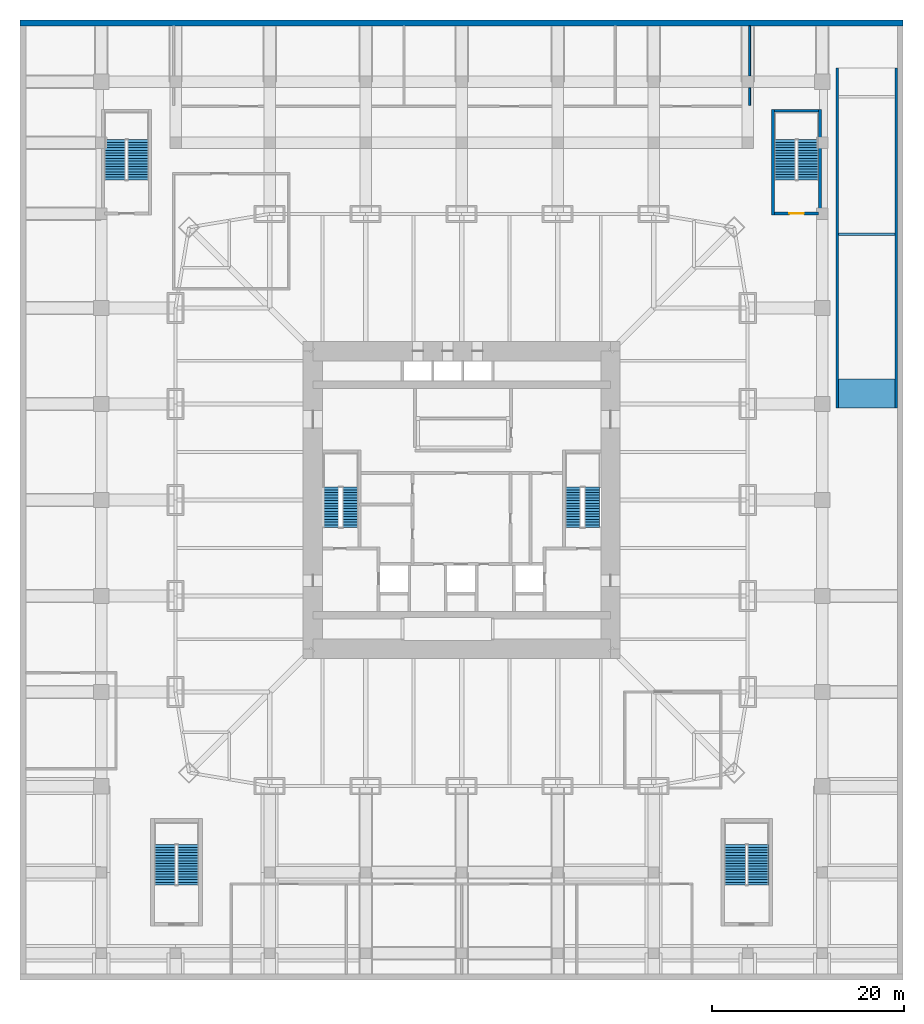
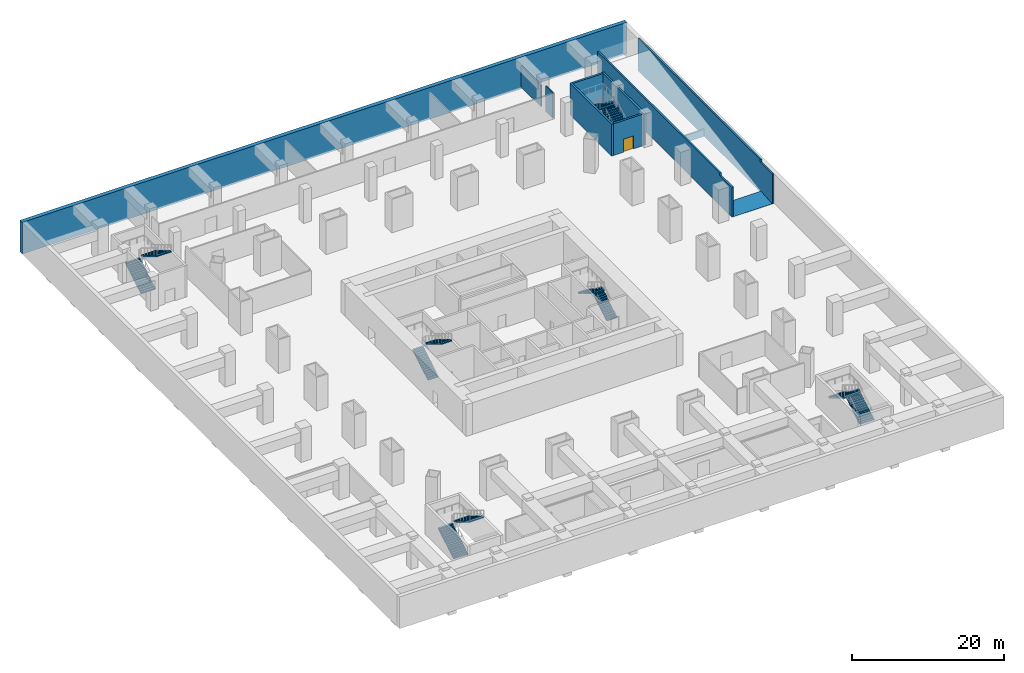
# One storey, part 10 of 12: 12 stair flights, 10 walls, 1 door, 1 ramp flight, 1 opening, 7 elements without a shape of their own.
"""IFC4 building model written with IfcOpenShell, lengths in metres."""

from ifc_helpers import new_model, si_unit, direction, frame, frame_2d, origin, place, context, subcontext, project, spatial, polyline, rectangle, outline, extrude, material, layer, layer_set, type_object, element, fill, aggregate, save


model = new_model("IFC4")

# Units and contexts
model_context = context("Model", 3, precision=1e-05, world=origin(), true_north=direction((0.0, 1.0)))
body_context = subcontext(model_context, "Body", "Model", "MODEL_VIEW")
ifc_project = project(units=[si_unit("LENGTHUNIT", "METRE"), si_unit("AREAUNIT", "SQUARE_METRE"), si_unit("VOLUMEUNIT", "CUBIC_METRE"), si_unit("PLANEANGLEUNIT", "RADIAN"), si_unit("MASSUNIT", "GRAM", prefix="KILO")], contexts=[model_context])

# Site, building, storey
site_placement = place(None, origin())
site = spatial("IfcSite", under=ifc_project, at=site_placement, CompositionType="ELEMENT")
building_placement = place(site_placement, origin())
building = spatial("IfcBuilding", under=site, at=building_placement, Name="Khuree Lantern Residences", CompositionType="ELEMENT")
storey_placement = place(building_placement, frame((0.0, 0.0, -5.39990234375)))
storey = spatial("IfcBuildingStorey", under=building, at=storey_placement, Name="B1", CompositionType="ELEMENT", Elevation=-5.39990234375)

# Walls
ifc_material_1 = material(Name="Dense concrete blockwork", Category="masonry")
ifc_layer_1 = layer(ifc_material_1, 0.199951171875)
ifc_layer_set_1 = layer_set([ifc_layer_1], Name="FIRE-RATED ROOM WALL FRW200 EI 120")
wall_type_1 = type_object("IfcWallType", Name="FIRE-RATED ROOM WALL FRW200 EI 120", PredefinedType="SOLIDWALL", material=ifc_layer_set_1)
wall_1_placement = place(storey_placement, frame((30.0, 41.10009765625, 0.0), z_axis=(0.0, 0.0, 1.0), x_axis=(0.0, 1.0, 0.0)))
element("IfcWall", 1, at=wall_1_placement, inside=storey, type_object=wall_type_1, Name="B1 ROOM WALL 24", PredefinedType="SOLIDWALL", context=body_context, shape_type="SweptSolid", body=[
    extrude(rectangle(XDim=1.81982421875, YDim=0.199951171875, at=frame_2d((0.909912109375, 0.0))), origin(), (0.0, 0.0, 1.0), 4.099853515625),
])
wall_2_placement = place(storey_placement, frame((30.0, 44.18017578125, 0.0), z_axis=(0.0, 0.0, 1.0), x_axis=(0.0, 1.0, 0.0)))
element("IfcWall", 2, at=wall_2_placement, inside=storey, type_object=wall_type_1, Name="B1 ROOM WALL 26", PredefinedType="SOLIDWALL", context=body_context, shape_type="SweptSolid", body=[
    extrude(rectangle(XDim=5.19970703125, YDim=0.199951171875, at=frame_2d((2.599853515625, 0.0))), origin(), (0.0, 0.0, 1.0), 3.39990234375),
])
ifc_material_2 = material(Name="Concrete C40/50", Category="concrete")
ifc_layer_2 = layer(ifc_material_2, 0.25)
ifc_layer_set_2 = layer_set([ifc_layer_2], Name="RAMP WALL RA 250")
wall_type_2 = type_object("IfcWallType", Name="RAMP WALL RA 250", PredefinedType="SOLIDWALL", material=ifc_layer_set_2)
for number, where, z_axis, x_axis, name in (
    (3, (39.125, 9.60009765625, 0.0), (0.0, 0.0, 1.0), (0.0, 1.0, 0.0), "Car park ramp, street to B1 side wall"),
    (4, (45.27490234375, 9.60009765625, 0.0), (0.0, 0.0, 1.0), (0.0, 1.0, 0.0), "Car park ramp, street to B1 side wall"),
):
    element("IfcWall", number, at=place(storey_placement, frame(where, z_axis=z_axis, x_axis=x_axis)), inside=storey, type_object=wall_type_2, Name=name, PredefinedType="SOLIDWALL", context=body_context, shape_type="SweptSolid", body=[
        extrude(outline(polyline([(0.0, 0.0), (35.39990234375, 0.0), (35.39990234375, 5.199951171875), (3.199951171875, 5.199951171875), (3.199951171875, 4.7998046875), (0.0, 4.7998046875), (0.0, 0.0)])), frame((0.0, 0.125, 0.0), z_axis=(0.0, -1.0, 0.0), x_axis=(1.0, 0.0, 0.0)), (0.0, 0.0, 1.0), 0.25),
    ])
wall_3_placement = place(storey_placement, frame((39.25, 27.675048828125, 0.0), z_axis=(0.0, 0.0, 1.0), x_axis=(1.0, 0.0, 0.0)))
element("IfcWall", 5, at=wall_3_placement, inside=storey, type_object=wall_type_2, Name="Ramp upstand S", PredefinedType="SOLIDWALL", context=body_context, shape_type="SweptSolid", body=[
    extrude(rectangle(XDim=5.89990234375, YDim=0.25, at=frame_2d((2.949951171875, 0.0))), origin(), (0.0, 0.0, 1.0), 1.099853515625),
])
ifc_layer_3 = layer(ifc_material_2, 0.60009765625)
ifc_layer_set_3 = layer_set([ifc_layer_3], Name="RW1 BASEMENT RETAINING WALL 600")
wall_type_3 = type_object("IfcWallType", Name="RW1 BASEMENT RETAINING WALL 600", PredefinedType="SOLIDWALL", material=ifc_layer_set_3)
wall_4_placement = place(storey_placement, frame((-46.0, 49.699951171875, -0.300048828125), z_axis=(0.0, 0.0, 1.0), x_axis=(1.0, 0.0, 0.0)))
element("IfcWall", 6, at=wall_4_placement, inside=storey, type_object=wall_type_3, Name="Retaining wall N", PredefinedType="SOLIDWALL", context=body_context, shape_type="SweptSolid", body=[
    extrude(rectangle(XDim=92.0, YDim=0.60009765625, at=frame_2d((46.0, 0.0))), origin(), (0.0, 0.0, 1.0), 5.099853515625),
])
ifc_material_3 = material(Name="Concrete C50/60", Category="concrete")
ifc_layer_4 = layer(ifc_material_3, 0.300048828125)
ifc_layer_set_4 = layer_set([ifc_layer_4], Name="STAIR WALL SRW300 C50/60 REI 240")
wall_type_4 = type_object("IfcWallType", Name="STAIR WALL SRW300 C50/60 REI 240", PredefinedType="SOLIDWALL", material=ifc_layer_set_4)
wall_5_placement = place(storey_placement, frame((37.35009765625, 29.699951171875, 0.0), z_axis=(0.0, 0.0, 1.0), x_axis=(0.0, 1.0, 0.0)))
element("IfcWall", 7, at=wall_5_placement, inside=storey, type_object=wall_type_4, Name="B1 STAIR ST4 WALL O", PredefinedType="SOLIDWALL", context=body_context, shape_type="SweptSolid", body=[
    extrude(rectangle(XDim=11.0, YDim=0.300048828125, at=frame_2d((5.5, 0.0))), origin(), (0.0, 0.0, 1.0), 5.099853515625),
])

# Wall, opening, door
wall_6_placement = place(storey_placement, frame((37.199951171875, 29.85009765625, 0.0), z_axis=(0.0, 0.0, 1.0), x_axis=(-1.0, 0.0, 0.0)))
wall_6 = element("IfcWall", 8, at=wall_6_placement, inside=storey, type_object=wall_type_4, Name="B1 STAIR ST4 WALL S", PredefinedType="SOLIDWALL", context=body_context, shape_type="SweptSolid", body=[
    extrude(rectangle(XDim=4.599853515625, YDim=0.300048828125, at=frame_2d((2.2998046875, 0.0))), origin(), (0.0, 0.0, 1.0), 5.099853515625),
])
opening_placement = place(wall_6_placement, frame((1.550048828125, 0.0, 0.0)))
opening = element("IfcOpeningElement", 9, at=opening_placement, cuts=wall_6, Name="Opening B1-024", PredefinedType="OPENING", context=body_context, shape_type="SweptSolid", body=[
    extrude(rectangle(XDim=1.5, YDim=2.10009765625, at=frame_2d((0.75, 1.050048828125))), frame((0.0, 0.16015625, 0.0), z_axis=(0.0, -1.0, 0.0), x_axis=(1.0, 0.0, 0.0)), (0.0, 0.0, 1.0), 0.320068359375),
])
ifc_material_4 = material(Name="Steel door leaf in steel frame", Category="steel")
door_type = type_object("IfcDoorType", Name="STAIR DOOR 1500X2100 EI 120", OperationType="DOUBLE_DOOR_SINGLE_SWING", PredefinedType="DOOR", material=ifc_material_4)
door_placement = place(opening_placement, origin())
door = element("IfcDoor", 10, at=door_placement, inside=storey, type_object=door_type, Name="Stair ST4 door B1-024", OperationType="DOUBLE_DOOR_SINGLE_SWING", OverallHeight=2.10009765625, OverallWidth=1.5, PredefinedType="DOOR", context=body_context, shape_type="SweptSolid", body=[
    extrude(rectangle(XDim=1.5, YDim=2.10009765625, at=frame_2d((0.75, 1.050048828125))), frame((0.0, 0.02490234375, 0.0), z_axis=(0.0, -1.0, 0.0), x_axis=(1.0, 0.0, 0.0)), (0.0, 0.0, 1.0), 0.050048828125),
])
fill(opening, door)

# Walls
wall_7_placement = place(storey_placement, frame((32.449951171875, 29.699951171875, 0.0), z_axis=(0.0, 0.0, 1.0), x_axis=(0.0, 1.0, 0.0)))
element("IfcWall", 11, at=wall_7_placement, inside=storey, type_object=wall_type_4, Name="B1 STAIR ST4 WALL I", PredefinedType="SOLIDWALL", context=body_context, shape_type="SweptSolid", body=[
    extrude(rectangle(XDim=11.0, YDim=0.300048828125, at=frame_2d((5.5, 0.0))), origin(), (0.0, 0.0, 1.0), 5.099853515625),
])
wall_8_placement = place(storey_placement, frame((37.199951171875, 40.550048828125, 0.0), z_axis=(0.0, 0.0, 1.0), x_axis=(-1.0, 0.0, 0.0)))
element("IfcWall", 12, at=wall_8_placement, inside=storey, type_object=wall_type_4, Name="B1 STAIR ST4 WALL N", PredefinedType="SOLIDWALL", context=body_context, shape_type="SweptSolid", body=[
    extrude(rectangle(XDim=4.599853515625, YDim=0.300048828125, at=frame_2d((2.2998046875, 0.0))), origin(), (0.0, 0.0, 1.0), 5.099853515625),
])

# Stair, stair flights
stair_type_1 = type_object("IfcStairType", Name="STAIR ST1 HALF TURN 3600", PredefinedType="HALF_TURN_STAIR", material=ifc_material_2)
stair_1_placement = place(storey_placement, origin())
stair_1 = element("IfcStair", 13, at=stair_1_placement, inside=storey, type_object=stair_type_1, Name="Stair ST1", PredefinedType="HALF_TURN_STAIR")
stair_flight_type_1 = type_object("IfcStairFlightType", Name="STAIR FLIGHT SF1 1600", PredefinedType="STRAIGHT", material=ifc_material_2)
stair_flight_1_placement = place(storey_placement, frame((-13.60009765625, -2.860107421875, 0.0), z_axis=(0.0, 0.0, 1.0), x_axis=(0.0, 1.0, 0.0)))
stair_flight_1 = element("IfcStairFlight", 14, at=stair_flight_1_placement, type_object=stair_flight_type_1, Name="ST1 flight 1", NumberOfRisers=16, NumberOfTreads=15, PredefinedType="STRAIGHT", RiserHeight=0.16875, TreadLength=0.28, context=body_context, shape_type="SweptSolid", body=[
    extrude(outline(polyline([(0.0, 0.0), (0.0, 0.168701171875), (0.280029296875, 0.168701171875), (0.280029296875, 0.33740234375), (0.56005859375, 0.33740234375), (0.56005859375, 0.50634765625), (0.840087890625, 0.50634765625), (0.840087890625, 0.675048828125), (1.1201171875, 0.675048828125), (1.1201171875, 0.84375), (1.39990234375, 0.84375), (1.39990234375, 1.012451171875), (1.679931640625, 1.012451171875), (1.679931640625, 1.18115234375), (1.9599609375, 1.18115234375), (1.9599609375, 1.35009765625), (2.239990234375, 1.35009765625), (2.239990234375, 1.518798828125), (2.52001953125, 1.518798828125), (2.52001953125, 1.6875), (2.800048828125, 1.6875), (2.800048828125, 1.856201171875), (3.080078125, 1.856201171875), (3.080078125, 2.02490234375), (3.360107421875, 2.02490234375), (3.360107421875, 2.19384765625), (3.639892578125, 2.19384765625), (3.639892578125, 2.362548828125), (3.919921875, 2.362548828125), (3.919921875, 2.53125), (4.199951171875, 2.53125), (4.199951171875, 2.699951171875), (4.199951171875, 2.356201171875), (0.29052734375, 0.0), (0.0, 0.0)])), frame((0.0, 0.800048828125, 0.0), z_axis=(0.0, -1.0, 0.0), x_axis=(1.0, 0.0, 0.0)), (0.0, 0.0, 1.0), 1.60009765625),
])
stair_flight_2_placement = place(storey_placement, frame((-11.60009765625, 1.340087890625, 2.699951171875), z_axis=(0.0, 0.0, 1.0), x_axis=(0.0, -1.0, 0.0)))
stair_flight_2 = element("IfcStairFlight", 15, at=stair_flight_2_placement, type_object=stair_flight_type_1, Name="ST1 flight 2", NumberOfRisers=16, NumberOfTreads=15, PredefinedType="STRAIGHT", RiserHeight=0.16875, TreadLength=0.28, context=body_context, shape_type="SweptSolid", body=[
    extrude(outline(polyline([(0.0, 0.0), (0.0, 0.168701171875), (0.280029296875, 0.168701171875), (0.280029296875, 0.33740234375), (0.56005859375, 0.33740234375), (0.56005859375, 0.50634765625), (0.840087890625, 0.50634765625), (0.840087890625, 0.675048828125), (1.1201171875, 0.675048828125), (1.1201171875, 0.84375), (1.39990234375, 0.84375), (1.39990234375, 1.012451171875), (1.679931640625, 1.012451171875), (1.679931640625, 1.18115234375), (1.9599609375, 1.18115234375), (1.9599609375, 1.35009765625), (2.239990234375, 1.35009765625), (2.239990234375, 1.518798828125), (2.52001953125, 1.518798828125), (2.52001953125, 1.6875), (2.800048828125, 1.6875), (2.800048828125, 1.856201171875), (3.080078125, 1.856201171875), (3.080078125, 2.02490234375), (3.360107421875, 2.02490234375), (3.360107421875, 2.19384765625), (3.639892578125, 2.19384765625), (3.639892578125, 2.362548828125), (3.919921875, 2.362548828125), (3.919921875, 2.53125), (4.199951171875, 2.53125), (4.199951171875, 2.699951171875), (4.199951171875, 2.356201171875), (0.29052734375, 0.0), (0.0, 0.0)])), frame((0.0, 0.800048828125, 0.0), z_axis=(0.0, -1.0, 0.0), x_axis=(1.0, 0.0, 0.0)), (0.0, 0.0, 1.0), 1.60009765625),
])
aggregate(stair_1, [stair_flight_1, stair_flight_2])

stair_2_placement = place(storey_placement, origin())
stair_2 = element("IfcStair", 16, at=stair_2_placement, inside=storey, type_object=stair_type_1, Name="Stair ST2", PredefinedType="HALF_TURN_STAIR")
stair_flight_3_placement = place(storey_placement, frame((13.60009765625, -2.860107421875, 0.0), z_axis=(0.0, 0.0, 1.0), x_axis=(0.0, 1.0, 0.0)))
stair_flight_3 = element("IfcStairFlight", 17, at=stair_flight_3_placement, type_object=stair_flight_type_1, Name="ST2 flight 1", NumberOfRisers=16, NumberOfTreads=15, PredefinedType="STRAIGHT", RiserHeight=0.16875, TreadLength=0.28, context=body_context, shape_type="SweptSolid", body=[
    extrude(outline(polyline([(0.0, 0.0), (0.0, 0.168701171875), (0.280029296875, 0.168701171875), (0.280029296875, 0.33740234375), (0.56005859375, 0.33740234375), (0.56005859375, 0.50634765625), (0.840087890625, 0.50634765625), (0.840087890625, 0.675048828125), (1.1201171875, 0.675048828125), (1.1201171875, 0.84375), (1.39990234375, 0.84375), (1.39990234375, 1.012451171875), (1.679931640625, 1.012451171875), (1.679931640625, 1.18115234375), (1.9599609375, 1.18115234375), (1.9599609375, 1.35009765625), (2.239990234375, 1.35009765625), (2.239990234375, 1.518798828125), (2.52001953125, 1.518798828125), (2.52001953125, 1.6875), (2.800048828125, 1.6875), (2.800048828125, 1.856201171875), (3.080078125, 1.856201171875), (3.080078125, 2.02490234375), (3.360107421875, 2.02490234375), (3.360107421875, 2.19384765625), (3.639892578125, 2.19384765625), (3.639892578125, 2.362548828125), (3.919921875, 2.362548828125), (3.919921875, 2.53125), (4.199951171875, 2.53125), (4.199951171875, 2.699951171875), (4.199951171875, 2.356201171875), (0.29052734375, 0.0), (0.0, 0.0)])), frame((0.0, 0.800048828125, 0.0), z_axis=(0.0, -1.0, 0.0), x_axis=(1.0, 0.0, 0.0)), (0.0, 0.0, 1.0), 1.60009765625),
])
stair_flight_4_placement = place(storey_placement, frame((11.60009765625, 1.340087890625, 2.699951171875), z_axis=(0.0, 0.0, 1.0), x_axis=(0.0, -1.0, 0.0)))
stair_flight_4 = element("IfcStairFlight", 18, at=stair_flight_4_placement, type_object=stair_flight_type_1, Name="ST2 flight 2", NumberOfRisers=16, NumberOfTreads=15, PredefinedType="STRAIGHT", RiserHeight=0.16875, TreadLength=0.28, context=body_context, shape_type="SweptSolid", body=[
    extrude(outline(polyline([(0.0, 0.0), (0.0, 0.168701171875), (0.280029296875, 0.168701171875), (0.280029296875, 0.33740234375), (0.56005859375, 0.33740234375), (0.56005859375, 0.50634765625), (0.840087890625, 0.50634765625), (0.840087890625, 0.675048828125), (1.1201171875, 0.675048828125), (1.1201171875, 0.84375), (1.39990234375, 0.84375), (1.39990234375, 1.012451171875), (1.679931640625, 1.012451171875), (1.679931640625, 1.18115234375), (1.9599609375, 1.18115234375), (1.9599609375, 1.35009765625), (2.239990234375, 1.35009765625), (2.239990234375, 1.518798828125), (2.52001953125, 1.518798828125), (2.52001953125, 1.6875), (2.800048828125, 1.6875), (2.800048828125, 1.856201171875), (3.080078125, 1.856201171875), (3.080078125, 2.02490234375), (3.360107421875, 2.02490234375), (3.360107421875, 2.19384765625), (3.639892578125, 2.19384765625), (3.639892578125, 2.362548828125), (3.919921875, 2.362548828125), (3.919921875, 2.53125), (4.199951171875, 2.53125), (4.199951171875, 2.699951171875), (4.199951171875, 2.356201171875), (0.29052734375, 0.0), (0.0, 0.0)])), frame((0.0, 0.800048828125, 0.0), z_axis=(0.0, -1.0, 0.0), x_axis=(1.0, 0.0, 0.0)), (0.0, 0.0, 1.0), 1.60009765625),
])
aggregate(stair_2, [stair_flight_3, stair_flight_4])

stair_type_2 = type_object("IfcStairType", Name="STAIR ST3 HALF TURN 4600", PredefinedType="HALF_TURN_STAIR", material=ifc_material_2)
stair_3_placement = place(storey_placement, origin())
stair_3 = element("IfcStair", 19, at=stair_3_placement, inside=storey, type_object=stair_type_2, Name="Stair ST5", PredefinedType="HALF_TURN_STAIR")
stair_flight_type_2 = type_object("IfcStairFlightType", Name="STAIR FLIGHT SF2 2200", PredefinedType="STRAIGHT", material=ifc_material_2)
stair_flight_5_placement = place(storey_placement, frame((-30.89990234375, -40.10009765625, 0.0), z_axis=(0.0, 0.0, 1.0), x_axis=(0.0, 1.0, 0.0)))
stair_flight_5 = element("IfcStairFlight", 20, at=stair_flight_5_placement, type_object=stair_flight_type_2, Name="ST5 flight 1", NumberOfRisers=16, NumberOfTreads=15, PredefinedType="STRAIGHT", RiserHeight=0.16875, TreadLength=0.28, context=body_context, shape_type="SweptSolid", body=[
    extrude(outline(polyline([(0.0, 0.0), (0.0, 0.168701171875), (0.280029296875, 0.168701171875), (0.280029296875, 0.33740234375), (0.56005859375, 0.33740234375), (0.56005859375, 0.50634765625), (0.840087890625, 0.50634765625), (0.840087890625, 0.675048828125), (1.1201171875, 0.675048828125), (1.1201171875, 0.84375), (1.39990234375, 0.84375), (1.39990234375, 1.012451171875), (1.679931640625, 1.012451171875), (1.679931640625, 1.18115234375), (1.9599609375, 1.18115234375), (1.9599609375, 1.35009765625), (2.239990234375, 1.35009765625), (2.239990234375, 1.518798828125), (2.52001953125, 1.518798828125), (2.52001953125, 1.6875), (2.800048828125, 1.6875), (2.800048828125, 1.856201171875), (3.080078125, 1.856201171875), (3.080078125, 2.02490234375), (3.360107421875, 2.02490234375), (3.360107421875, 2.19384765625), (3.639892578125, 2.19384765625), (3.639892578125, 2.362548828125), (3.919921875, 2.362548828125), (3.919921875, 2.53125), (4.199951171875, 2.53125), (4.199951171875, 2.699951171875), (4.199951171875, 2.356201171875), (0.29052734375, 0.0), (0.0, 0.0)])), frame((0.0, 1.10009765625, 0.0), z_axis=(0.0, -1.0, 0.0), x_axis=(1.0, 0.0, 0.0)), (0.0, 0.0, 1.0), 2.199951171875),
])
stair_flight_6_placement = place(storey_placement, frame((-28.5, -35.89990234375, 2.699951171875), z_axis=(0.0, 0.0, 1.0), x_axis=(0.0, -1.0, 0.0)))
stair_flight_6 = element("IfcStairFlight", 21, at=stair_flight_6_placement, type_object=stair_flight_type_2, Name="ST5 flight 2", NumberOfRisers=16, NumberOfTreads=15, PredefinedType="STRAIGHT", RiserHeight=0.16875, TreadLength=0.28, context=body_context, shape_type="SweptSolid", body=[
    extrude(outline(polyline([(0.0, 0.0), (0.0, 0.168701171875), (0.280029296875, 0.168701171875), (0.280029296875, 0.33740234375), (0.56005859375, 0.33740234375), (0.56005859375, 0.50634765625), (0.840087890625, 0.50634765625), (0.840087890625, 0.675048828125), (1.1201171875, 0.675048828125), (1.1201171875, 0.84375), (1.39990234375, 0.84375), (1.39990234375, 1.012451171875), (1.679931640625, 1.012451171875), (1.679931640625, 1.18115234375), (1.9599609375, 1.18115234375), (1.9599609375, 1.35009765625), (2.239990234375, 1.35009765625), (2.239990234375, 1.518798828125), (2.52001953125, 1.518798828125), (2.52001953125, 1.6875), (2.800048828125, 1.6875), (2.800048828125, 1.856201171875), (3.080078125, 1.856201171875), (3.080078125, 2.02490234375), (3.360107421875, 2.02490234375), (3.360107421875, 2.19384765625), (3.639892578125, 2.19384765625), (3.639892578125, 2.362548828125), (3.919921875, 2.362548828125), (3.919921875, 2.53125), (4.199951171875, 2.53125), (4.199951171875, 2.699951171875), (4.199951171875, 2.356201171875), (0.29052734375, 0.0), (0.0, 0.0)])), frame((0.0, 1.10009765625, 0.0), z_axis=(0.0, -1.0, 0.0), x_axis=(1.0, 0.0, 0.0)), (0.0, 0.0, 1.0), 2.199951171875),
])
aggregate(stair_3, [stair_flight_5, stair_flight_6])

stair_4_placement = place(storey_placement, origin())
stair_4 = element("IfcStair", 22, at=stair_4_placement, inside=storey, type_object=stair_type_2, Name="Stair ST6", PredefinedType="HALF_TURN_STAIR")
stair_flight_7_placement = place(storey_placement, frame((30.89990234375, -40.10009765625, 0.0), z_axis=(0.0, 0.0, 1.0), x_axis=(0.0, 1.0, 0.0)))
stair_flight_7 = element("IfcStairFlight", 23, at=stair_flight_7_placement, type_object=stair_flight_type_2, Name="ST6 flight 1", NumberOfRisers=16, NumberOfTreads=15, PredefinedType="STRAIGHT", RiserHeight=0.16875, TreadLength=0.28, context=body_context, shape_type="SweptSolid", body=[
    extrude(outline(polyline([(0.0, 0.0), (0.0, 0.168701171875), (0.280029296875, 0.168701171875), (0.280029296875, 0.33740234375), (0.56005859375, 0.33740234375), (0.56005859375, 0.50634765625), (0.840087890625, 0.50634765625), (0.840087890625, 0.675048828125), (1.1201171875, 0.675048828125), (1.1201171875, 0.84375), (1.39990234375, 0.84375), (1.39990234375, 1.012451171875), (1.679931640625, 1.012451171875), (1.679931640625, 1.18115234375), (1.9599609375, 1.18115234375), (1.9599609375, 1.35009765625), (2.239990234375, 1.35009765625), (2.239990234375, 1.518798828125), (2.52001953125, 1.518798828125), (2.52001953125, 1.6875), (2.800048828125, 1.6875), (2.800048828125, 1.856201171875), (3.080078125, 1.856201171875), (3.080078125, 2.02490234375), (3.360107421875, 2.02490234375), (3.360107421875, 2.19384765625), (3.639892578125, 2.19384765625), (3.639892578125, 2.362548828125), (3.919921875, 2.362548828125), (3.919921875, 2.53125), (4.199951171875, 2.53125), (4.199951171875, 2.699951171875), (4.199951171875, 2.356201171875), (0.29052734375, 0.0), (0.0, 0.0)])), frame((0.0, 1.10009765625, 0.0), z_axis=(0.0, -1.0, 0.0), x_axis=(1.0, 0.0, 0.0)), (0.0, 0.0, 1.0), 2.199951171875),
])
stair_flight_8_placement = place(storey_placement, frame((28.5, -35.89990234375, 2.699951171875), z_axis=(0.0, 0.0, 1.0), x_axis=(0.0, -1.0, 0.0)))
stair_flight_8 = element("IfcStairFlight", 24, at=stair_flight_8_placement, type_object=stair_flight_type_2, Name="ST6 flight 2", NumberOfRisers=16, NumberOfTreads=15, PredefinedType="STRAIGHT", RiserHeight=0.16875, TreadLength=0.28, context=body_context, shape_type="SweptSolid", body=[
    extrude(outline(polyline([(0.0, 0.0), (0.0, 0.168701171875), (0.280029296875, 0.168701171875), (0.280029296875, 0.33740234375), (0.56005859375, 0.33740234375), (0.56005859375, 0.50634765625), (0.840087890625, 0.50634765625), (0.840087890625, 0.675048828125), (1.1201171875, 0.675048828125), (1.1201171875, 0.84375), (1.39990234375, 0.84375), (1.39990234375, 1.012451171875), (1.679931640625, 1.012451171875), (1.679931640625, 1.18115234375), (1.9599609375, 1.18115234375), (1.9599609375, 1.35009765625), (2.239990234375, 1.35009765625), (2.239990234375, 1.518798828125), (2.52001953125, 1.518798828125), (2.52001953125, 1.6875), (2.800048828125, 1.6875), (2.800048828125, 1.856201171875), (3.080078125, 1.856201171875), (3.080078125, 2.02490234375), (3.360107421875, 2.02490234375), (3.360107421875, 2.19384765625), (3.639892578125, 2.19384765625), (3.639892578125, 2.362548828125), (3.919921875, 2.362548828125), (3.919921875, 2.53125), (4.199951171875, 2.53125), (4.199951171875, 2.699951171875), (4.199951171875, 2.356201171875), (0.29052734375, 0.0), (0.0, 0.0)])), frame((0.0, 1.10009765625, 0.0), z_axis=(0.0, -1.0, 0.0), x_axis=(1.0, 0.0, 0.0)), (0.0, 0.0, 1.0), 2.199951171875),
])
aggregate(stair_4, [stair_flight_7, stair_flight_8])

stair_5_placement = place(storey_placement, origin())
stair_5 = element("IfcStair", 25, at=stair_5_placement, inside=storey, type_object=stair_type_2, Name="Stair ST3", PredefinedType="HALF_TURN_STAIR")
stair_flight_9_placement = place(storey_placement, frame((-36.10009765625, 33.340087890625, 0.0), z_axis=(0.0, 0.0, 1.0), x_axis=(0.0, 1.0, 0.0)))
stair_flight_9 = element("IfcStairFlight", 26, at=stair_flight_9_placement, type_object=stair_flight_type_2, Name="ST3 flight 1", NumberOfRisers=16, NumberOfTreads=15, PredefinedType="STRAIGHT", RiserHeight=0.16875, TreadLength=0.28, context=body_context, shape_type="SweptSolid", body=[
    extrude(outline(polyline([(0.0, 0.0), (0.0, 0.168701171875), (0.280029296875, 0.168701171875), (0.280029296875, 0.33740234375), (0.56005859375, 0.33740234375), (0.56005859375, 0.50634765625), (0.840087890625, 0.50634765625), (0.840087890625, 0.675048828125), (1.1201171875, 0.675048828125), (1.1201171875, 0.84375), (1.39990234375, 0.84375), (1.39990234375, 1.012451171875), (1.679931640625, 1.012451171875), (1.679931640625, 1.18115234375), (1.9599609375, 1.18115234375), (1.9599609375, 1.35009765625), (2.239990234375, 1.35009765625), (2.239990234375, 1.518798828125), (2.52001953125, 1.518798828125), (2.52001953125, 1.6875), (2.800048828125, 1.6875), (2.800048828125, 1.856201171875), (3.080078125, 1.856201171875), (3.080078125, 2.02490234375), (3.360107421875, 2.02490234375), (3.360107421875, 2.19384765625), (3.639892578125, 2.19384765625), (3.639892578125, 2.362548828125), (3.919921875, 2.362548828125), (3.919921875, 2.53125), (4.199951171875, 2.53125), (4.199951171875, 2.699951171875), (4.199951171875, 2.356201171875), (0.29052734375, 0.0), (0.0, 0.0)])), frame((0.0, 1.10009765625, 0.0), z_axis=(0.0, -1.0, 0.0), x_axis=(1.0, 0.0, 0.0)), (0.0, 0.0, 1.0), 2.199951171875),
])
stair_flight_10_placement = place(storey_placement, frame((-33.699951171875, 37.5400390625, 2.699951171875), z_axis=(0.0, 0.0, 1.0), x_axis=(0.0, -1.0, 0.0)))
stair_flight_10 = element("IfcStairFlight", 27, at=stair_flight_10_placement, type_object=stair_flight_type_2, Name="ST3 flight 2", NumberOfRisers=16, NumberOfTreads=15, PredefinedType="STRAIGHT", RiserHeight=0.16875, TreadLength=0.28, context=body_context, shape_type="SweptSolid", body=[
    extrude(outline(polyline([(0.0, 0.0), (0.0, 0.168701171875), (0.280029296875, 0.168701171875), (0.280029296875, 0.33740234375), (0.56005859375, 0.33740234375), (0.56005859375, 0.50634765625), (0.840087890625, 0.50634765625), (0.840087890625, 0.675048828125), (1.1201171875, 0.675048828125), (1.1201171875, 0.84375), (1.39990234375, 0.84375), (1.39990234375, 1.012451171875), (1.679931640625, 1.012451171875), (1.679931640625, 1.18115234375), (1.9599609375, 1.18115234375), (1.9599609375, 1.35009765625), (2.239990234375, 1.35009765625), (2.239990234375, 1.518798828125), (2.52001953125, 1.518798828125), (2.52001953125, 1.6875), (2.800048828125, 1.6875), (2.800048828125, 1.856201171875), (3.080078125, 1.856201171875), (3.080078125, 2.02490234375), (3.360107421875, 2.02490234375), (3.360107421875, 2.19384765625), (3.639892578125, 2.19384765625), (3.639892578125, 2.362548828125), (3.919921875, 2.362548828125), (3.919921875, 2.53125), (4.199951171875, 2.53125), (4.199951171875, 2.699951171875), (4.199951171875, 2.356201171875), (0.29052734375, 0.0), (0.0, 0.0)])), frame((0.0, 1.10009765625, 0.0), z_axis=(0.0, -1.0, 0.0), x_axis=(1.0, 0.0, 0.0)), (0.0, 0.0, 1.0), 2.199951171875),
])
aggregate(stair_5, [stair_flight_9, stair_flight_10])

stair_6_placement = place(storey_placement, origin())
stair_6 = element("IfcStair", 28, at=stair_6_placement, inside=storey, type_object=stair_type_2, Name="Stair ST4", PredefinedType="HALF_TURN_STAIR")
stair_flight_11_placement = place(storey_placement, frame((36.10009765625, 33.340087890625, 0.0), z_axis=(0.0, 0.0, 1.0), x_axis=(0.0, 1.0, 0.0)))
stair_flight_11 = element("IfcStairFlight", 29, at=stair_flight_11_placement, type_object=stair_flight_type_2, Name="ST4 flight 1", NumberOfRisers=16, NumberOfTreads=15, PredefinedType="STRAIGHT", RiserHeight=0.16875, TreadLength=0.28, context=body_context, shape_type="SweptSolid", body=[
    extrude(outline(polyline([(0.0, 0.0), (0.0, 0.168701171875), (0.280029296875, 0.168701171875), (0.280029296875, 0.33740234375), (0.56005859375, 0.33740234375), (0.56005859375, 0.50634765625), (0.840087890625, 0.50634765625), (0.840087890625, 0.675048828125), (1.1201171875, 0.675048828125), (1.1201171875, 0.84375), (1.39990234375, 0.84375), (1.39990234375, 1.012451171875), (1.679931640625, 1.012451171875), (1.679931640625, 1.18115234375), (1.9599609375, 1.18115234375), (1.9599609375, 1.35009765625), (2.239990234375, 1.35009765625), (2.239990234375, 1.518798828125), (2.52001953125, 1.518798828125), (2.52001953125, 1.6875), (2.800048828125, 1.6875), (2.800048828125, 1.856201171875), (3.080078125, 1.856201171875), (3.080078125, 2.02490234375), (3.360107421875, 2.02490234375), (3.360107421875, 2.19384765625), (3.639892578125, 2.19384765625), (3.639892578125, 2.362548828125), (3.919921875, 2.362548828125), (3.919921875, 2.53125), (4.199951171875, 2.53125), (4.199951171875, 2.699951171875), (4.199951171875, 2.356201171875), (0.29052734375, 0.0), (0.0, 0.0)])), frame((0.0, 1.10009765625, 0.0), z_axis=(0.0, -1.0, 0.0), x_axis=(1.0, 0.0, 0.0)), (0.0, 0.0, 1.0), 2.199951171875),
])
stair_flight_12_placement = place(storey_placement, frame((33.699951171875, 37.5400390625, 2.699951171875), z_axis=(0.0, 0.0, 1.0), x_axis=(0.0, -1.0, 0.0)))
stair_flight_12 = element("IfcStairFlight", 30, at=stair_flight_12_placement, type_object=stair_flight_type_2, Name="ST4 flight 2", NumberOfRisers=16, NumberOfTreads=15, PredefinedType="STRAIGHT", RiserHeight=0.16875, TreadLength=0.28, context=body_context, shape_type="SweptSolid", body=[
    extrude(outline(polyline([(0.0, 0.0), (0.0, 0.168701171875), (0.280029296875, 0.168701171875), (0.280029296875, 0.33740234375), (0.56005859375, 0.33740234375), (0.56005859375, 0.50634765625), (0.840087890625, 0.50634765625), (0.840087890625, 0.675048828125), (1.1201171875, 0.675048828125), (1.1201171875, 0.84375), (1.39990234375, 0.84375), (1.39990234375, 1.012451171875), (1.679931640625, 1.012451171875), (1.679931640625, 1.18115234375), (1.9599609375, 1.18115234375), (1.9599609375, 1.35009765625), (2.239990234375, 1.35009765625), (2.239990234375, 1.518798828125), (2.52001953125, 1.518798828125), (2.52001953125, 1.6875), (2.800048828125, 1.6875), (2.800048828125, 1.856201171875), (3.080078125, 1.856201171875), (3.080078125, 2.02490234375), (3.360107421875, 2.02490234375), (3.360107421875, 2.19384765625), (3.639892578125, 2.19384765625), (3.639892578125, 2.362548828125), (3.919921875, 2.362548828125), (3.919921875, 2.53125), (4.199951171875, 2.53125), (4.199951171875, 2.699951171875), (4.199951171875, 2.356201171875), (0.29052734375, 0.0), (0.0, 0.0)])), frame((0.0, 1.10009765625, 0.0), z_axis=(0.0, -1.0, 0.0), x_axis=(1.0, 0.0, 0.0)), (0.0, 0.0, 1.0), 2.199951171875),
])
aggregate(stair_6, [stair_flight_11, stair_flight_12])

# Ramp, ramp flight
ramp_placement = place(storey_placement, origin())
ramp = element("IfcRamp", 31, at=ramp_placement, inside=storey, Name="Car park ramp, street to B1", PredefinedType="STRAIGHT_RUN_RAMP")
ramp_flight_placement = place(storey_placement, frame((42.199951171875, 12.60009765625, 0.0), z_axis=(0.0, 0.0, 1.0), x_axis=(0.0, -1.0, 0.0)))
ramp_flight = element("IfcRampFlight", 32, at=ramp_flight_placement, material=ifc_material_2, Name="Car park ramp, street to B1 flight 3", PredefinedType="STRAIGHT", context=body_context, shape_type="SweptSolid", body=[
    extrude(outline(polyline([(0.0, 0.0), (3.0, 0.0), (3.0, 0.010009765625), (0.0, 0.25), (0.0, 0.0)])), frame((0.0, 2.949951171875, 0.0), z_axis=(0.0, -1.0, 0.0), x_axis=(1.0, 0.0, 0.0)), (0.0, 0.0, 1.0), 5.89990234375),
])
aggregate(ramp, [ramp_flight])

save(model, "model.ifc")
